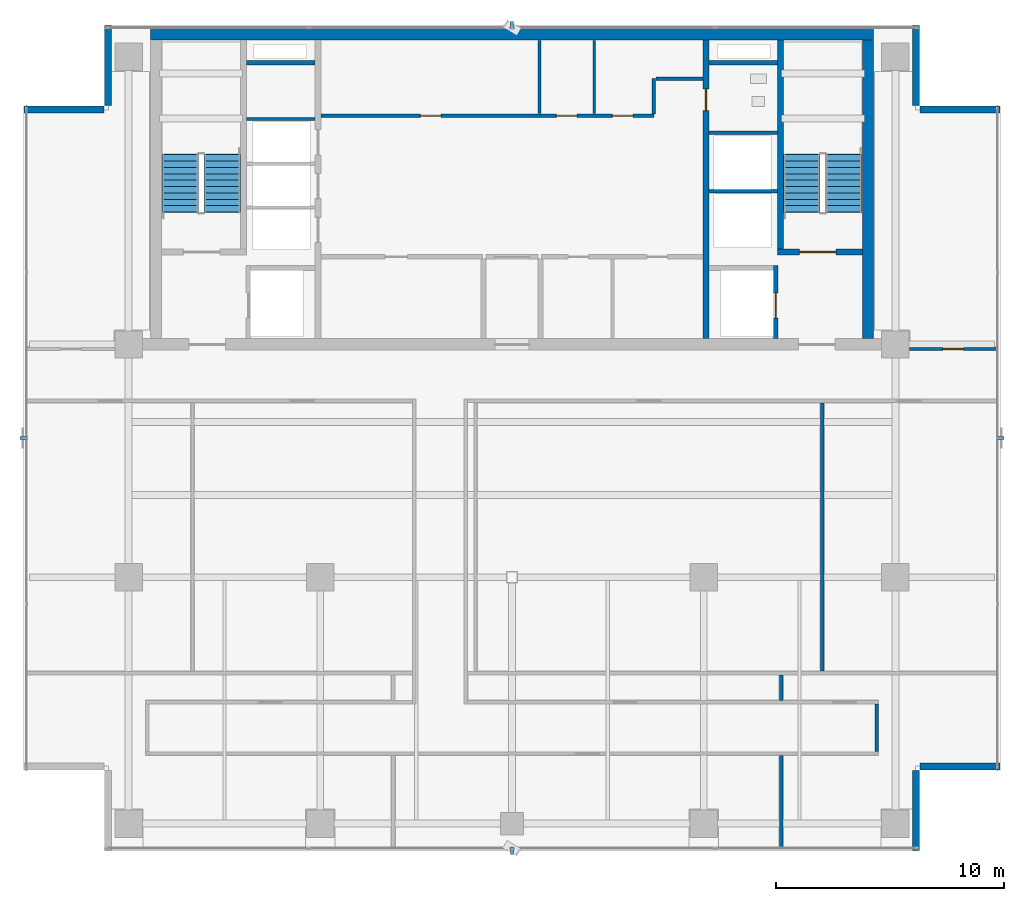
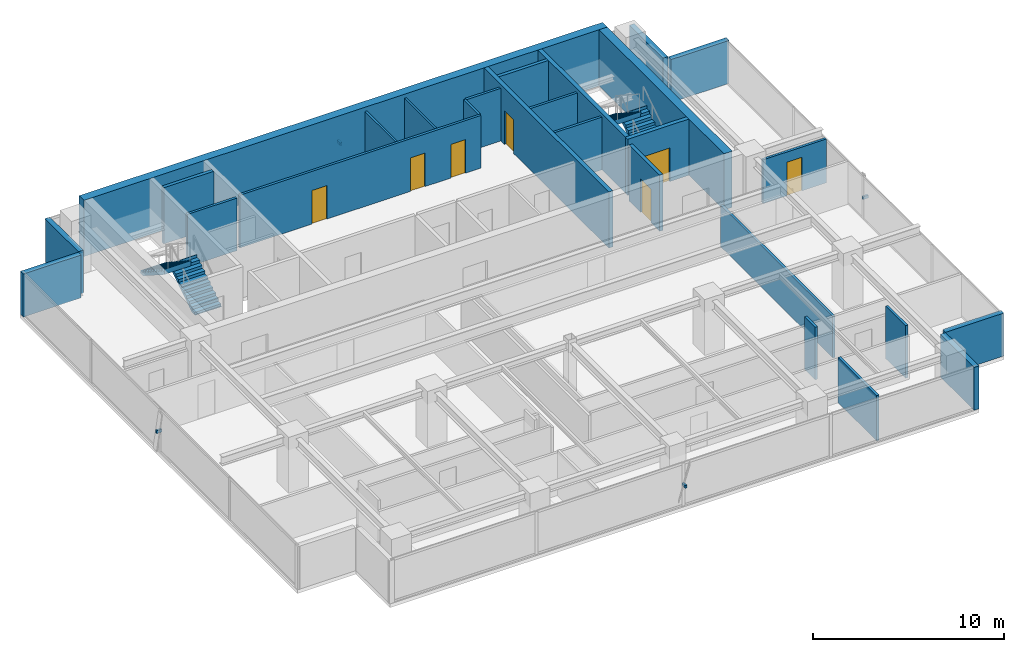
# One storey, part 16 of 20: 27 walls, 7 doors, 4 discrete accessories, 4 stair flights, 7 openings, 2 elements without a shape of their own.
"""IFC4 building model written with IfcOpenShell, lengths in metres."""

from ifc_helpers import new_model, si_unit, direction, frame, frame_2d, origin, origin_2d, place, context, subcontext, project, spatial, polyline, rectangle, outline, extrude, source, transform, mapped, material, layer, layer_set, material_profile, profile_set, type_object, element, fill, aggregate, save


model = new_model("IFC4")

# Units and contexts
model_context = context("Model", 3, precision=1e-05, world=origin(), true_north=direction((0.0, 1.0)))
body_context = subcontext(model_context, "Body", "Model", "MODEL_VIEW")
ifc_project = project(units=[si_unit("LENGTHUNIT", "METRE"), si_unit("AREAUNIT", "SQUARE_METRE"), si_unit("VOLUMEUNIT", "CUBIC_METRE"), si_unit("PLANEANGLEUNIT", "RADIAN"), si_unit("MASSUNIT", "GRAM", prefix="KILO")], contexts=[model_context])

# Site, building, storey
site_placement = place(None, origin())
site = spatial("IfcSite", under=ifc_project, at=site_placement, CompositionType="ELEMENT")
building_placement = place(site_placement, origin())
building = spatial("IfcBuilding", under=site, at=building_placement, Name="Sumidabori Civic Tower", CompositionType="ELEMENT")
storey_placement = place(building_placement, frame((0.0, 0.0, 282.800048828125)))
storey = spatial("IfcBuildingStorey", under=building, at=storey_placement, Name="L74", CompositionType="ELEMENT", Elevation=282.800048828125)

# Walls
ifc_material_1 = material(Name="Concrete C50/60", Category="concrete")
ifc_layer_1 = layer(ifc_material_1, 0.199951171875, Name="Concrete C50/60")
ifc_layer_set_1 = layer_set([ifc_layer_1], Name="Concrete C50/60")
wall_type_1 = type_object("IfcWallType", Name="WL-SHAFT-200", PredefinedType="SHEAR", material=ifc_layer_set_1)
shared_shape_1 = source(origin(), body_context, "Body", "SweptSolid", [
    extrude(rectangle(XDim=3.02001953125, YDim=0.199951171875, at=frame_2d((1.510009765625, 0.0))), origin(), (0.0, 0.0, 1.0), 3.599853515625),
])
for number, where, z_axis, x_axis, name in (
    (1, (-11.64501953125, 22.550048828125, 0.0), (0.0, 0.0, 1.0), (1.0, 0.0, 0.0), "Core Shear Wall L74 RIS1-S"),
    (2, (8.625, 22.550048828125, 0.0), (0.0, 0.0, 1.0), (1.0, 0.0, 0.0), "Core Shear Wall L74 RIS2-S"),
):
    element("IfcWall", number, at=place(storey_placement, frame(where, z_axis=z_axis, x_axis=x_axis)), inside=storey, type_object=wall_type_1, Name=name, PredefinedType="SHEAR", context=body_context, shape_type="MappedRepresentation", body=[
        mapped(shared_shape_1, transform((0.0, 0.0, 0.0), x_axis=(1.0, 0.0, 0.0), y_axis=(0.0, 1.0, 0.0), z_axis=(0.0, 0.0, 1.0), scale=1.0)),
    ])
ifc_layer_2 = layer(ifc_material_1, 0.5, Name="Concrete C50/60")
ifc_layer_set_2 = layer_set([ifc_layer_2], Name="Concrete C50/60")
wall_type_2 = type_object("IfcWallType", Name="WL-CORE-500", PredefinedType="SHEAR", material=ifc_layer_set_2)
shared_shape_2 = source(origin(), body_context, "Body", "SweptSolid", [
    extrude(rectangle(XDim=31.7001953125, YDim=0.5, at=frame_2d((15.85009765625, 0.0))), origin(), (0.0, 0.0, 1.0), 3.599853515625),
])
wall_1_placement = place(storey_placement, frame((-15.85009765625, 23.800048828125, 0.0), z_axis=(0.0, 0.0, 1.0), x_axis=(1.0, 0.0, 0.0)))
element("IfcWall", 3, at=wall_1_placement, inside=storey, type_object=wall_type_2, Name="Core Shear Wall L74 N", PredefinedType="SHEAR", context=body_context, shape_type="MappedRepresentation", body=[
    mapped(shared_shape_2, transform((0.0, 0.0, 0.0), x_axis=(1.0, 0.0, 0.0), y_axis=(0.0, 1.0, 0.0), z_axis=(0.0, 0.0, 1.0), scale=1.0)),
])
shared_shape_3 = source(origin(), body_context, "Body", "SweptSolid", [
    extrude(rectangle(XDim=13.10009765625, YDim=0.5, at=frame_2d((6.550048828125, 0.0))), origin(), (0.0, 0.0, 1.0), 3.599853515625),
])
wall_2_placement = place(storey_placement, frame((15.60009765625, 10.449951171875, 0.0), z_axis=(0.0, 0.0, 1.0), x_axis=(0.0, 1.0, 0.0)))
element("IfcWall", 4, at=wall_2_placement, inside=storey, type_object=wall_type_2, Name="Core Shear Wall L74 E", PredefinedType="SHEAR", context=body_context, shape_type="MappedRepresentation", body=[
    mapped(shared_shape_3, transform((0.0, 0.0, 0.0), x_axis=(1.0, 0.0, 0.0), y_axis=(0.0, 1.0, 0.0), z_axis=(0.0, 0.0, 1.0), scale=1.0)),
])

# Wall, opening, door
ifc_layer_3 = layer(ifc_material_1, 0.25, Name="Concrete C50/60")
ifc_layer_set_3 = layer_set([ifc_layer_3], Name="Concrete C50/60")
wall_type_3 = type_object("IfcWallType", Name="WL-SHAFT-250", PredefinedType="SHEAR", material=ifc_layer_set_3)
shared_shape_4 = source(origin(), body_context, "Body", "SweptSolid", [
    extrude(rectangle(XDim=13.10009765625, YDim=0.25, at=frame_2d((6.550048828125, 0.0))), origin(), (0.0, 0.0, 1.0), 3.599853515625),
])
wall_3_placement = place(storey_placement, frame((8.5, 10.449951171875, 0.0), z_axis=(0.0, 0.0, 1.0), x_axis=(0.0, 1.0, 0.0)))
wall_3 = element("IfcWall", 5, at=wall_3_placement, inside=storey, type_object=wall_type_3, Name="Core Shear Wall L74 WEB-E", PredefinedType="SHEAR", context=body_context, shape_type="MappedRepresentation", body=[
    mapped(shared_shape_4, transform((0.0, 0.0, 0.0), x_axis=(1.0, 0.0, 0.0), y_axis=(0.0, 1.0, 0.0), z_axis=(0.0, 0.0, 1.0), scale=1.0)),
])
opening_1_placement = place(wall_3_placement, frame((10.0, 0.0, 0.0)))
opening_1 = element("IfcOpeningElement", 6, at=opening_1_placement, cuts=wall_3, Name="Opening DR-2", PredefinedType="OPENING", context=body_context, shape_type="SweptSolid", body=[
    extrude(rectangle(XDim=0.949951171875, YDim=2.14990234375, at=frame_2d((0.47509765625, 1.074951171875))), frame((0.0, 0.136962890625, 0.0), z_axis=(0.0, -1.0, 0.0), x_axis=(1.0, 0.0, 0.0)), (0.0, 0.0, 1.0), 0.27392578125),
])
ifc_material_2 = material(Name="Japanese Hinoki Timber", Category="wood")
door_type_1 = type_object("IfcDoorType", Name="DR-INT-950", OperationType="NOTDEFINED", PredefinedType="DOOR", material=ifc_material_2)
shared_shape_5 = source(origin(), body_context, "Body", "SweptSolid", [
    extrude(rectangle(XDim=0.949951171875, YDim=2.14990234375, at=frame_2d((0.47509765625, 1.074951171875))), frame((0.0, 0.02490234375, 0.0), z_axis=(0.0, -1.0, 0.0), x_axis=(1.0, 0.0, 0.0)), (0.0, 0.0, 1.0), 0.050048828125),
])
door_1_placement = place(opening_1_placement, origin())
door_1 = element("IfcDoor", 7, at=door_1_placement, inside=storey, type_object=door_type_1, Name="Door DR:L74:WC-ACC", OperationType="SINGLE_SWING_RIGHT", OverallHeight=2.14990234375, OverallWidth=0.949951171875, PredefinedType="DOOR", context=body_context, shape_type="MappedRepresentation", body=[
    mapped(shared_shape_5, transform((0.0, 0.0, 0.0), x_axis=(1.0, 0.0, 0.0), y_axis=(0.0, 1.0, 0.0), z_axis=(0.0, 0.0, 1.0), scale=1.0)),
])
fill(opening_1, door_1)

shared_shape_6 = source(origin(), body_context, "Body", "SweptSolid", [
    extrude(rectangle(XDim=3.705078125, YDim=0.25, at=frame_2d((1.8525390625, 0.0))), origin(), (0.0, 0.0, 1.0), 3.599853515625),
])
wall_4_placement = place(storey_placement, frame((11.64501953125, 14.25, 0.0), z_axis=(0.0, 0.0, 1.0), x_axis=(1.0, 0.0, 0.0)))
wall_4 = element("IfcWall", 8, at=wall_4_placement, inside=storey, type_object=wall_type_3, Name="Core Shear Wall L74 ST2-S", PredefinedType="SHEAR", context=body_context, shape_type="MappedRepresentation", body=[
    mapped(shared_shape_6, transform((0.0, 0.0, 0.0), x_axis=(1.0, 0.0, 0.0), y_axis=(0.0, 1.0, 0.0), z_axis=(0.0, 0.0, 1.0), scale=1.0)),
])
opening_2_placement = place(wall_4_placement, frame((0.949951171875, 0.0, 0.0)))
opening_2 = element("IfcOpeningElement", 9, at=opening_2_placement, cuts=wall_4, Name="Opening DR-FD4", PredefinedType="OPENING", context=body_context, shape_type="SweptSolid", body=[
    extrude(rectangle(XDim=1.60009765625, YDim=2.14990234375, at=frame_2d((0.800048828125, 1.074951171875))), frame((0.0, 0.136962890625, 0.0), z_axis=(0.0, -1.0, 0.0), x_axis=(1.0, 0.0, 0.0)), (0.0, 0.0, 1.0), 0.27392578125),
])
ifc_material_3 = material(Name="Steel SN490", Category="steel")
door_type_2 = type_object("IfcDoorType", Name="DR-FD4", OperationType="DOUBLE_DOOR_SINGLE_SWING", PredefinedType="DOOR", material=ifc_material_3)
shared_shape_7 = source(origin(), body_context, "Body", "SweptSolid", [
    extrude(rectangle(XDim=1.60009765625, YDim=2.14990234375, at=frame_2d((0.800048828125, 1.074951171875))), frame((0.0, 0.02490234375, 0.0), z_axis=(0.0, -1.0, 0.0), x_axis=(1.0, 0.0, 0.0)), (0.0, 0.0, 1.0), 0.050048828125),
])
door_2_placement = place(opening_2_placement, origin())
door_2 = element("IfcDoor", 10, at=door_2_placement, inside=storey, type_object=door_type_2, Name="Door DR:L74:ST2", OperationType="DOUBLE_DOOR_SINGLE_SWING", OverallHeight=2.14990234375, OverallWidth=1.60009765625, PredefinedType="DOOR", context=body_context, shape_type="MappedRepresentation", body=[
    mapped(shared_shape_7, transform((0.0, 0.0, 0.0), x_axis=(1.0, 0.0, 0.0), y_axis=(0.0, 1.0, 0.0), z_axis=(0.0, 0.0, 1.0), scale=1.0)),
])
fill(opening_2, door_2)

# Wall
shared_shape_8 = source(origin(), body_context, "Body", "SweptSolid", [
    extrude(rectangle(XDim=9.175048828125, YDim=0.25, at=frame_2d((4.58740234375, 0.0))), origin(), (0.0, 0.0, 1.0), 3.599853515625),
])
wall_5_placement = place(storey_placement, frame((11.77001953125, 14.375, 0.0), z_axis=(0.0, 0.0, 1.0), x_axis=(0.0, 1.0, 0.0)))
element("IfcWall", 11, at=wall_5_placement, inside=storey, type_object=wall_type_3, Name="Core Shear Wall L74 ST2-W", PredefinedType="SHEAR", context=body_context, shape_type="MappedRepresentation", body=[
    mapped(shared_shape_8, transform((0.0, 0.0, 0.0), x_axis=(1.0, 0.0, 0.0), y_axis=(0.0, 1.0, 0.0), z_axis=(0.0, 0.0, 1.0), scale=1.0)),
])

# Wall, opening, door
shared_shape_9 = source(origin(), body_context, "Body", "SweptSolid", [
    extrude(rectangle(XDim=3.199951171875, YDim=0.199951171875, at=frame_2d((1.60009765625, 0.0))), origin(), (0.0, 0.0, 1.0), 3.599853515625),
])
wall_6_placement = place(storey_placement, frame((11.550048828125, 10.449951171875, 0.0), z_axis=(0.0, 0.0, 1.0), x_axis=(0.0, 1.0, 0.0)))
wall_6 = element("IfcWall", 12, at=wall_6_placement, inside=storey, type_object=wall_type_1, Name="Core Shear Wall L74 EL2-E", PredefinedType="SHEAR", context=body_context, shape_type="MappedRepresentation", body=[
    mapped(shared_shape_9, transform((0.0, 0.0, 0.0), x_axis=(1.0, 0.0, 0.0), y_axis=(0.0, 1.0, 0.0), z_axis=(0.0, 0.0, 1.0), scale=1.0)),
])
opening_3_placement = place(wall_6_placement, frame((0.89990234375, 0.0, 0.0)))
opening_3 = element("IfcOpeningElement", 13, at=opening_3_placement, cuts=wall_6, Name="Opening LD-2", PredefinedType="OPENING", context=body_context, shape_type="SweptSolid", body=[
    extrude(rectangle(XDim=1.10009765625, YDim=2.14990234375, at=frame_2d((0.550048828125, 1.074951171875))), frame((0.0, 0.11181640625, 0.0), z_axis=(0.0, -1.0, 0.0), x_axis=(1.0, 0.0, 0.0)), (0.0, 0.0, 1.0), 0.223876953125),
])
ifc_material_4 = material(Name="Stainless Steel Hairline Finish", Category="steel")
door_type_3 = type_object("IfcDoorType", Name="DR-LD2", OperationType="DOUBLE_DOOR_SLIDING", PredefinedType="DOOR", material=ifc_material_4)
shared_shape_10 = source(origin(), body_context, "Body", "SweptSolid", [
    extrude(rectangle(XDim=1.10009765625, YDim=2.14990234375, at=frame_2d((0.550048828125, 1.074951171875))), frame((0.0, 0.02490234375, 0.0), z_axis=(0.0, -1.0, 0.0), x_axis=(1.0, 0.0, 0.0)), (0.0, 0.0, 1.0), 0.050048828125),
])
door_3_placement = place(opening_3_placement, origin())
door_3 = element("IfcDoor", 14, at=door_3_placement, inside=storey, type_object=door_type_3, Name="Door DR:L74:LD-EL2", OperationType="DOUBLE_DOOR_SLIDING", OverallHeight=2.14990234375, OverallWidth=1.10009765625, PredefinedType="DOOR", context=body_context, shape_type="MappedRepresentation", body=[
    mapped(shared_shape_10, transform((0.0, 0.0, 0.0), x_axis=(1.0, 0.0, 0.0), y_axis=(0.0, 1.0, 0.0), z_axis=(0.0, 0.0, 1.0), scale=1.0)),
])
fill(opening_3, door_3)

# Walls
ifc_material_5 = material(Name="Precast concrete C40/50", Category="concrete")
ifc_layer_4 = layer(ifc_material_5, 0.300048828125, Name="Precast concrete C40/50")
ifc_layer_set_4 = layer_set([ifc_layer_4], Name="Precast concrete C40/50")
wall_type_4 = type_object("IfcWallType", Name="WL-EXT-POD300", PredefinedType="STANDARD", material=ifc_layer_set_4)
shared_shape_11 = source(origin(), body_context, "Body", "SweptSolid", [
    extrude(rectangle(XDim=3.510009765625, YDim=0.300048828125, at=frame_2d((1.7548828125, 0.0))), origin(), (0.0, 0.0, 1.0), 2.75),
])
for number, where, z_axis, x_axis, name in (
    (15, (17.699951171875, -11.97998046875, 0.0), (0.0, 0.0, 1.0), (0.0, 1.0, 0.0), "Notched Corner Spandrel Band L74-02"),
    (16, (17.699951171875, 20.669921875, 0.0), (0.0, 0.0, 1.0), (0.0, 1.0, 0.0), "Notched Corner Spandrel Band L74-06"),
    (17, (-17.699951171875, 24.179931640625, 0.0), (0.0, 0.0, 1.0), (0.0, -1.0, 0.0), "Notched Corner Spandrel Band L74-08"),
):
    element("IfcWall", number, at=place(storey_placement, frame(where, z_axis=z_axis, x_axis=x_axis)), inside=storey, type_object=wall_type_4, Name=name, PredefinedType="STANDARD", context=body_context, shape_type="MappedRepresentation", body=[
        mapped(shared_shape_11, transform((0.0, 0.0, 0.0), x_axis=(1.0, 0.0, 0.0), y_axis=(0.0, 1.0, 0.0), z_axis=(0.0, 0.0, 1.0), scale=1.0)),
    ])
shared_shape_12 = source(origin(), body_context, "Body", "SweptSolid", [
    extrude(rectangle(XDim=3.509765625, YDim=0.300048828125, at=frame_2d((1.7548828125, 0.0))), origin(), (0.0, 0.0, 1.0), 2.75),
])
for number, where, z_axis, x_axis, name in (
    (18, (17.8701171875, -8.300048828125, 0.0), (0.0, 0.0, 1.0), (1.0, 0.0, 0.0), "Notched Corner Spandrel Band L74-03"),
    (19, (21.3798828125, 20.5, 0.0), (0.0, 0.0, 1.0), (-1.0, 0.0, 0.0), "Notched Corner Spandrel Band L74-05"),
    (20, (-17.8701171875, 20.5, 0.0), (0.0, 0.0, 1.0), (-1.0, 0.0, 0.0), "Notched Corner Spandrel Band L74-09"),
):
    element("IfcWall", number, at=place(storey_placement, frame(where, z_axis=z_axis, x_axis=x_axis)), inside=storey, type_object=wall_type_4, Name=name, PredefinedType="STANDARD", context=body_context, shape_type="MappedRepresentation", body=[
        mapped(shared_shape_12, transform((0.0, 0.0, 0.0), x_axis=(1.0, 0.0, 0.0), y_axis=(0.0, 1.0, 0.0), z_axis=(0.0, 0.0, 1.0), scale=1.0)),
    ])
ifc_material_6 = material(Name="Gypsum Plasterboard Acoustic Partition")
ifc_layer_5 = layer(ifc_material_6, 0.14990234375, Name="Gypsum Plasterboard Acoustic Partition")
ifc_layer_set_5 = layer_set([ifc_layer_5], Name="Gypsum Plasterboard Acoustic Partition")
wall_type_5 = type_object("IfcWallType", Name="WL-PART-150", PredefinedType="PARTITIONING", material=ifc_layer_set_5)
shared_shape_13 = source(origin(), body_context, "Body", "SweptSolid", [
    extrude(rectangle(XDim=3.010009765625, YDim=0.14990234375, at=frame_2d((1.5048828125, 0.0))), origin(), (0.0, 0.0, 1.0), 3.369873046875),
])
for number, where, z_axis, x_axis, name in (
    (21, (-11.639892578125, 20.080078125, 0.0), (0.0, 0.0, 1.0), (1.0, 0.0, 0.0), "Interior Partition WL:L74:DIV-PLH3"),
    (22, (8.6298828125, 16.919921875, 0.0), (0.0, 0.0, 1.0), (1.0, 0.0, 0.0), "Interior Partition WL:L74:DIV-OBS1"),
    (23, (8.6298828125, 19.469970703125, 0.0), (0.0, 0.0, 1.0), (1.0, 0.0, 0.0), "Interior Partition WL:L74:DIV-OBS2"),
):
    element("IfcWall", number, at=place(storey_placement, frame(where, z_axis=z_axis, x_axis=x_axis)), inside=storey, type_object=wall_type_5, Name=name, PredefinedType="PARTITIONING", context=body_context, shape_type="MappedRepresentation", body=[
        mapped(shared_shape_13, transform((0.0, 0.0, 0.0), x_axis=(1.0, 0.0, 0.0), y_axis=(0.0, 1.0, 0.0), z_axis=(0.0, 0.0, 1.0), scale=1.0)),
    ])

# Wall, openings, doors
shared_shape_14 = source(origin(), body_context, "Body", "SweptSolid", [
    extrude(rectangle(XDim=14.590087890625, YDim=0.14990234375, at=frame_2d((7.294921875, 0.0))), origin(), (0.0, 0.0, 1.0), 3.369873046875),
])
wall_7_placement = place(storey_placement, frame((-8.3701171875, 20.219970703125, 0.0), z_axis=(0.0, 0.0, 1.0), x_axis=(1.0, 0.0, 0.0)))
wall_7 = element("IfcWall", 24, at=wall_7_placement, inside=storey, type_object=wall_type_5, Name="Interior Partition WL:L74:CBAND-M", PredefinedType="PARTITIONING", context=body_context, shape_type="MappedRepresentation", body=[
    mapped(shared_shape_14, transform((0.0, 0.0, 0.0), x_axis=(1.0, 0.0, 0.0), y_axis=(0.0, 1.0, 0.0), z_axis=(0.0, 0.0, 1.0), scale=1.0)),
])
opening_4_placement = place(wall_7_placement, frame((4.360107421875, 0.0, 0.0)))
opening_4 = element("IfcOpeningElement", 25, at=opening_4_placement, cuts=wall_7, Name="Opening DR-1", PredefinedType="OPENING", context=body_context, shape_type="SweptSolid", body=[
    extrude(rectangle(XDim=0.89990234375, YDim=2.14990234375, at=frame_2d((0.449951171875, 1.074951171875))), frame((0.0, 0.0869140625, 0.0), z_axis=(0.0, -1.0, 0.0), x_axis=(1.0, 0.0, 0.0)), (0.0, 0.0, 1.0), 0.173828125),
])
opening_5_placement = place(wall_7_placement, frame((10.320068359375, 0.0, 0.0)))
opening_5 = element("IfcOpeningElement", 26, at=opening_5_placement, cuts=wall_7, Name="Opening DR-1", PredefinedType="OPENING", context=body_context, shape_type="SweptSolid", body=[
    extrude(rectangle(XDim=0.89990234375, YDim=2.14990234375, at=frame_2d((0.449951171875, 1.074951171875))), frame((0.0, 0.0869140625, 0.0), z_axis=(0.0, -1.0, 0.0), x_axis=(1.0, 0.0, 0.0)), (0.0, 0.0, 1.0), 0.173828125),
])
opening_6_placement = place(wall_7_placement, frame((12.77001953125, 0.0, 0.0)))
opening_6 = element("IfcOpeningElement", 27, at=opening_6_placement, cuts=wall_7, Name="Opening DR-1", PredefinedType="OPENING", context=body_context, shape_type="SweptSolid", body=[
    extrude(rectangle(XDim=0.89990234375, YDim=2.14990234375, at=frame_2d((0.449951171875, 1.074951171875))), frame((0.0, 0.0869140625, 0.0), z_axis=(0.0, -1.0, 0.0), x_axis=(1.0, 0.0, 0.0)), (0.0, 0.0, 1.0), 0.173828125),
])
door_type_4 = type_object("IfcDoorType", Name="DR-INT-900", OperationType="NOTDEFINED", PredefinedType="DOOR", material=ifc_material_2)
shared_shape_15 = source(origin(), body_context, "Body", "SweptSolid", [
    extrude(rectangle(XDim=0.89990234375, YDim=2.14990234375, at=frame_2d((0.449951171875, 1.074951171875))), frame((0.0, 0.02490234375, 0.0), z_axis=(0.0, -1.0, 0.0), x_axis=(1.0, 0.0, 0.0)), (0.0, 0.0, 1.0), 0.050048828125),
])
door_4_placement = place(opening_4_placement, origin())
door_4 = element("IfcDoor", 28, at=door_4_placement, inside=storey, type_object=door_type_4, Name="Door DR:L74:CB-1", OperationType="SINGLE_SWING_LEFT", OverallHeight=2.14990234375, OverallWidth=0.89990234375, PredefinedType="DOOR", context=body_context, shape_type="MappedRepresentation", body=[
    mapped(shared_shape_15, transform((0.0, 0.0, 0.0), x_axis=(1.0, 0.0, 0.0), y_axis=(0.0, 1.0, 0.0), z_axis=(0.0, 0.0, 1.0), scale=1.0)),
])
fill(opening_4, door_4)
door_5_placement = place(opening_5_placement, origin())
door_5 = element("IfcDoor", 29, at=door_5_placement, inside=storey, type_object=door_type_4, Name="Door DR:L74:CB-2", OperationType="SINGLE_SWING_RIGHT", OverallHeight=2.14990234375, OverallWidth=0.89990234375, PredefinedType="DOOR", context=body_context, shape_type="MappedRepresentation", body=[
    mapped(shared_shape_15, transform((0.0, 0.0, 0.0), x_axis=(1.0, 0.0, 0.0), y_axis=(0.0, 1.0, 0.0), z_axis=(0.0, 0.0, 1.0), scale=1.0)),
])
fill(opening_5, door_5)
door_6_placement = place(opening_6_placement, origin())
door_6 = element("IfcDoor", 30, at=door_6_placement, inside=storey, type_object=door_type_4, Name="Door DR:L74:CB-3", OperationType="SINGLE_SWING_LEFT", OverallHeight=2.14990234375, OverallWidth=0.89990234375, PredefinedType="DOOR", context=body_context, shape_type="MappedRepresentation", body=[
    mapped(shared_shape_15, transform((0.0, 0.0, 0.0), x_axis=(1.0, 0.0, 0.0), y_axis=(0.0, 1.0, 0.0), z_axis=(0.0, 0.0, 1.0), scale=1.0)),
])
fill(opening_6, door_6)

# Walls
shared_shape_16 = source(origin(), body_context, "Body", "SweptSolid", [
    extrude(rectangle(XDim=1.550048828125, YDim=0.14990234375, at=frame_2d((0.77490234375, 0.0))), origin(), (0.0, 0.0, 1.0), 3.369873046875),
])
wall_8_placement = place(storey_placement, frame((6.219970703125, 20.300048828125, 0.0), z_axis=(0.0, 0.0, 1.0), x_axis=(0.0, 1.0, 0.0)))
element("IfcWall", 31, at=wall_8_placement, inside=storey, type_object=wall_type_5, Name="Interior Partition WL:L74:CBAND-ME1", PredefinedType="PARTITIONING", context=body_context, shape_type="MappedRepresentation", body=[
    mapped(shared_shape_16, transform((0.0, 0.0, 0.0), x_axis=(1.0, 0.0, 0.0), y_axis=(0.0, 1.0, 0.0), z_axis=(0.0, 0.0, 1.0), scale=1.0)),
])
shared_shape_17 = source(origin(), body_context, "Body", "SweptSolid", [
    extrude(rectangle(XDim=2.070068359375, YDim=0.14990234375, at=frame_2d((1.03515625, 0.0))), origin(), (0.0, 0.0, 1.0), 3.369873046875),
])
wall_9_placement = place(storey_placement, frame((6.300048828125, 21.85009765625, 0.0), z_axis=(0.0, 0.0, 1.0), x_axis=(1.0, 0.0, 0.0)))
element("IfcWall", 32, at=wall_9_placement, inside=storey, type_object=wall_type_5, Name="Interior Partition WL:L74:CBAND-ME2", PredefinedType="PARTITIONING", context=body_context, shape_type="MappedRepresentation", body=[
    mapped(shared_shape_17, transform((0.0, 0.0, 0.0), x_axis=(1.0, 0.0, 0.0), y_axis=(0.0, 1.0, 0.0), z_axis=(0.0, 0.0, 1.0), scale=1.0)),
])
ifc_layer_6 = layer(ifc_material_6, 0.1201171875, Name="Gypsum Plasterboard Acoustic Partition")
ifc_layer_set_6 = layer_set([ifc_layer_6], Name="Gypsum Plasterboard Acoustic Partition")
wall_type_6 = type_object("IfcWallType", Name="WL-PART-120", PredefinedType="PARTITIONING", material=ifc_layer_set_6)
shared_shape_18 = source(origin(), body_context, "Body", "SweptSolid", [
    extrude(rectangle(XDim=3.18994140625, YDim=0.1201171875, at=frame_2d((1.594970703125, 0.0))), origin(), (0.0, 0.0, 1.0), 3.369873046875),
])
for number, where, z_axis, x_axis, name in (
    (33, (1.199951171875, 20.320068359375, 0.0), (0.0, 0.0, 1.0), (0.0, 1.0, 0.0), "Interior Partition WL:L74:LV8-S1"),
    (34, (3.60009765625, 20.320068359375, 0.0), (0.0, 0.0, 1.0), (0.0, 1.0, 0.0), "Interior Partition WL:L74:LV8-S2"),
):
    element("IfcWall", number, at=place(storey_placement, frame(where, z_axis=z_axis, x_axis=x_axis)), inside=storey, type_object=wall_type_6, Name=name, PredefinedType="PARTITIONING", context=body_context, shape_type="MappedRepresentation", body=[
        mapped(shared_shape_18, transform((0.0, 0.0, 0.0), x_axis=(1.0, 0.0, 0.0), y_axis=(0.0, 1.0, 0.0), z_axis=(0.0, 0.0, 1.0), scale=1.0)),
    ])

# Wall, opening, door
shared_shape_19 = source(origin(), body_context, "Body", "SweptSolid", [
    extrude(rectangle(XDim=3.840087890625, YDim=0.14990234375, at=frame_2d((1.919921875, 0.0))), origin(), (0.0, 0.0, 1.0), 2.804931640625),
])
wall_10_placement = place(storey_placement, frame((17.409912109375, 10.0, 0.0), z_axis=(0.0, 0.0, 1.0), x_axis=(1.0, 0.0, 0.0)))
wall_10 = element("IfcWall", 35, at=wall_10_placement, inside=storey, type_object=wall_type_5, Name="Interior Partition WL:L74:FLK-NE", PredefinedType="PARTITIONING", context=body_context, shape_type="MappedRepresentation", body=[
    mapped(shared_shape_19, transform((0.0, 0.0, 0.0), x_axis=(1.0, 0.0, 0.0), y_axis=(0.0, 1.0, 0.0), z_axis=(0.0, 0.0, 1.0), scale=1.0)),
])
opening_7_placement = place(wall_10_placement, frame((1.469970703125, 0.0, 0.0)))
opening_7 = element("IfcOpeningElement", 36, at=opening_7_placement, cuts=wall_10, Name="Opening DR-1", PredefinedType="OPENING", context=body_context, shape_type="SweptSolid", body=[
    extrude(rectangle(XDim=0.89990234375, YDim=2.14990234375, at=frame_2d((0.449951171875, 1.074951171875))), frame((0.0, 0.0869140625, 0.0), z_axis=(0.0, -1.0, 0.0), x_axis=(1.0, 0.0, 0.0)), (0.0, 0.0, 1.0), 0.173828125),
])
door_7_placement = place(opening_7_placement, origin())
door_7 = element("IfcDoor", 37, at=door_7_placement, inside=storey, type_object=door_type_4, Name="Door DR:L74:FLK-NE", OperationType="SINGLE_SWING_RIGHT", OverallHeight=2.14990234375, OverallWidth=0.89990234375, PredefinedType="DOOR", context=body_context, shape_type="MappedRepresentation", body=[
    mapped(shared_shape_15, transform((0.0, 0.0, 0.0), x_axis=(1.0, 0.0, 0.0), y_axis=(0.0, 1.0, 0.0), z_axis=(0.0, 0.0, 1.0), scale=1.0)),
])
fill(opening_7, door_7)

# Walls
shared_shape_20 = source(origin(), body_context, "Body", "SweptSolid", [
    extrude(rectangle(XDim=11.76513671875, YDim=0.14990234375, at=frame_2d((5.882568359375, 0.0))), origin(), (0.0, 0.0, 1.0), 2.655029296875),
])
wall_11_placement = place(storey_placement, frame((13.60009765625, -4.1201171875, 0.0), z_axis=(0.0, 0.0, 1.0), x_axis=(0.0, 1.0, 0.0)))
element("IfcWall", 38, at=wall_11_placement, inside=storey, type_object=wall_type_5, Name="Interior Partition WL:L74:VX-N3", PredefinedType="PARTITIONING", context=body_context, shape_type="MappedRepresentation", body=[
    mapped(shared_shape_20, transform((0.0, 0.0, 0.0), x_axis=(1.0, 0.0, 0.0), y_axis=(0.0, 1.0, 0.0), z_axis=(0.0, 0.0, 1.0), scale=1.0)),
])
shared_shape_21 = source(origin(), body_context, "Body", "SweptSolid", [
    extrude(rectangle(XDim=4.045166015625, YDim=0.14990234375, at=frame_2d((2.0224609375, 0.0))), origin(), (0.0, 0.0, 1.0), 2.905029296875),
])
wall_12_placement = place(storey_placement, frame((11.800048828125, -11.85009765625, 0.0), z_axis=(0.0, 0.0, 1.0), x_axis=(0.0, 1.0, 0.0)))
element("IfcWall", 39, at=wall_12_placement, inside=storey, type_object=wall_type_5, Name="Interior Partition WL:L74:VX-S2-1", PredefinedType="PARTITIONING", context=body_context, shape_type="MappedRepresentation", body=[
    mapped(shared_shape_21, transform((0.0, 0.0, 0.0), x_axis=(1.0, 0.0, 0.0), y_axis=(0.0, 1.0, 0.0), z_axis=(0.0, 0.0, 1.0), scale=1.0)),
])
shared_shape_22 = source(origin(), body_context, "Body", "SweptSolid", [
    extrude(rectangle(XDim=2.090087890625, YDim=0.14990234375, at=frame_2d((1.044921875, 0.0))), origin(), (0.0, 0.0, 1.0), 3.369873046875),
])
wall_13_placement = place(storey_placement, frame((15.97509765625, -7.64501953125, 0.0), z_axis=(0.0, 0.0, 1.0), x_axis=(0.0, 1.0, 0.0)))
element("IfcWall", 40, at=wall_13_placement, inside=storey, type_object=wall_type_5, Name="Interior Partition WL:L74:CORR-VSE", PredefinedType="PARTITIONING", context=body_context, shape_type="MappedRepresentation", body=[
    mapped(shared_shape_22, transform((0.0, 0.0, 0.0), x_axis=(1.0, 0.0, 0.0), y_axis=(0.0, 1.0, 0.0), z_axis=(0.0, 0.0, 1.0), scale=1.0)),
])
shared_shape_23 = source(origin(), body_context, "Body", "SweptSolid", [
    extrude(rectangle(XDim=1.114990234375, YDim=0.14990234375, at=frame_2d((0.5576171875, 0.0))), origin(), (0.0, 0.0, 1.0), 3.369873046875),
])
wall_14_placement = place(storey_placement, frame((11.800048828125, -5.39501953125, 0.0), z_axis=(0.0, 0.0, 1.0), x_axis=(0.0, 1.0, 0.0)))
element("IfcWall", 41, at=wall_14_placement, inside=storey, type_object=wall_type_5, Name="Interior Partition WL:L74:VX-S2-2", PredefinedType="PARTITIONING", context=body_context, shape_type="MappedRepresentation", body=[
    mapped(shared_shape_23, transform((0.0, 0.0, 0.0), x_axis=(1.0, 0.0, 0.0), y_axis=(0.0, 1.0, 0.0), z_axis=(0.0, 0.0, 1.0), scale=1.0)),
])

# Stair, stair flights
ifc_material_7 = material(Name="Concrete C40/50", Category="concrete")
stair_type = type_object("IfcStairType", Name="ST-CORE-1600", PredefinedType="HALF_TURN_STAIR", material=ifc_material_7)
stair_1_placement = place(storey_placement, origin())
stair_1 = element("IfcStair", 42, at=stair_1_placement, inside=storey, type_object=stair_type, Name="L74 ST-1", PredefinedType="HALF_TURN_STAIR")
stair_flight_type = type_object("IfcStairFlightType", Name="SF-CORE-1600", PredefinedType="STRAIGHT", material=ifc_material_7)
shared_shape_24 = source(origin(), body_context, "Body", "SweptSolid", [
    extrude(outline(polyline([(-0.02490234375, 0.0), (-0.02490234375, 0.0400390625), (0.0, 0.0400390625), (0.0, 0.179931640625), (0.280029296875, 0.179931640625), (0.280029296875, 0.360107421875), (0.56005859375, 0.360107421875), (0.56005859375, 0.5400390625), (0.840087890625, 0.5400390625), (0.840087890625, 0.719970703125), (1.1201171875, 0.719970703125), (1.1201171875, 0.89990234375), (1.39990234375, 0.89990234375), (1.39990234375, 1.080078125), (1.679931640625, 1.080078125), (1.679931640625, 1.260009765625), (1.9599609375, 1.260009765625), (1.9599609375, 1.43994140625), (2.239990234375, 1.43994140625), (2.239990234375, 1.6201171875), (2.52001953125, 1.6201171875), (2.52001953125, 1.800048828125), (2.544921875, 1.800048828125), (2.544921875, 1.650146484375), (2.52001953125, 1.44189453125), (0.277099609375, 0.0), (-0.02490234375, 0.0)])), frame((0.0, 0.800048828125, 0.0), z_axis=(0.0, -1.0, 0.0), x_axis=(1.0, 0.0, 0.0)), (0.0, 0.0, 1.0), 1.60009765625),
])
stair_flight_1_placement = place(storey_placement, frame((-12.699951171875, 16.0, 0.0), z_axis=(0.0, 0.0, 1.0), x_axis=(0.0, 1.0, 0.0)))
stair_flight_1 = element("IfcStairFlight", 43, at=stair_flight_1_placement, type_object=stair_flight_type, Name="ST-1 flight 1", NumberOfRisers=10, NumberOfTreads=9, PredefinedType="STRAIGHT", RiserHeight=0.18, TreadLength=0.28, context=body_context, shape_type="MappedRepresentation", body=[
    mapped(shared_shape_24, transform((0.0, 0.0, 0.0), x_axis=(1.0, 0.0, 0.0), y_axis=(0.0, 1.0, 0.0), z_axis=(0.0, 0.0, 1.0), scale=1.0)),
])
stair_flight_2_placement = place(storey_placement, frame((-14.5400390625, 18.52001953125, 1.800048828125), z_axis=(0.0, 0.0, 1.0), x_axis=(0.0, -1.0, 0.0)))
stair_flight_2 = element("IfcStairFlight", 44, at=stair_flight_2_placement, type_object=stair_flight_type, Name="ST-1 flight 2", NumberOfRisers=10, NumberOfTreads=9, PredefinedType="STRAIGHT", RiserHeight=0.18, TreadLength=0.28, context=body_context, shape_type="MappedRepresentation", body=[
    mapped(shared_shape_24, transform((0.0, 0.0, 0.0), x_axis=(1.0, 0.0, 0.0), y_axis=(0.0, 1.0, 0.0), z_axis=(0.0, 0.0, 1.0), scale=1.0)),
])
aggregate(stair_1, [stair_flight_1, stair_flight_2])

stair_2_placement = place(storey_placement, origin())
stair_2 = element("IfcStair", 45, at=stair_2_placement, inside=storey, type_object=stair_type, Name="L74 ST-2", PredefinedType="HALF_TURN_STAIR")
stair_flight_3_placement = place(storey_placement, frame((14.5400390625, 16.0, 0.0), z_axis=(0.0, 0.0, 1.0), x_axis=(0.0, 1.0, 0.0)))
stair_flight_3 = element("IfcStairFlight", 46, at=stair_flight_3_placement, type_object=stair_flight_type, Name="ST-2 flight 1", NumberOfRisers=10, NumberOfTreads=9, PredefinedType="STRAIGHT", RiserHeight=0.18, TreadLength=0.28, context=body_context, shape_type="MappedRepresentation", body=[
    mapped(shared_shape_24, transform((0.0, 0.0, 0.0), x_axis=(1.0, 0.0, 0.0), y_axis=(0.0, 1.0, 0.0), z_axis=(0.0, 0.0, 1.0), scale=1.0)),
])
stair_flight_4_placement = place(storey_placement, frame((12.699951171875, 18.52001953125, 1.800048828125), z_axis=(0.0, 0.0, 1.0), x_axis=(0.0, -1.0, 0.0)))
stair_flight_4 = element("IfcStairFlight", 47, at=stair_flight_4_placement, type_object=stair_flight_type, Name="ST-2 flight 2", NumberOfRisers=10, NumberOfTreads=9, PredefinedType="STRAIGHT", RiserHeight=0.18, TreadLength=0.28, context=body_context, shape_type="MappedRepresentation", body=[
    mapped(shared_shape_24, transform((0.0, 0.0, 0.0), x_axis=(1.0, 0.0, 0.0), y_axis=(0.0, 1.0, 0.0), z_axis=(0.0, 0.0, 1.0), scale=1.0)),
])
aggregate(stair_2, [stair_flight_3, stair_flight_4])

# Discrete accessories
ifc_material_profile = material_profile(ifc_material_4, rectangle(XDim=0.1201171875, YDim=0.179931640625, at=origin_2d()), Name="STEEL BRACKET 180x120")
ifc_profile_set = profile_set([ifc_material_profile], Name="Stainless Steel Hairline Finish")
discrete_accessory_type = type_object("IfcDiscreteAccessoryType", Name="AC-BRK-180", PredefinedType="BRACKET", material=ifc_profile_set)
shared_shape_25 = source(origin(), body_context, "Body", "SweptSolid", [
    extrude(rectangle(XDim=0.1201171875, YDim=0.179931640625, at=origin_2d()), origin(), (0.0, 0.0, 1.0), 0.329833984375),
])
discrete_accessory_placement = place(storey_placement, frame((0.0, -11.830078125, 1.364990234375), z_axis=(0.0, -1.0, 0.0), x_axis=(1.0, 0.0, 0.0)))
element("IfcDiscreteAccessory", 48, at=discrete_accessory_placement, inside=storey, type_object=discrete_accessory_type, Name="Bronze Fin Fixing Bracket L74-02", PredefinedType="BRACKET", context=body_context, shape_type="MappedRepresentation", body=[
    mapped(shared_shape_25, transform((0.0, 0.0, 0.0), x_axis=(1.0, 0.0, 0.0), y_axis=(0.0, 1.0, 0.0), z_axis=(0.0, 0.0, 1.0), scale=1.0)),
])
shared_shape_26 = source(origin(), body_context, "Body", "SweptSolid", [
    extrude(rectangle(XDim=0.1201171875, YDim=0.179931640625, at=origin_2d()), origin(), (0.0, 0.0, 1.0), 0.330078125),
])
for number, where, z_axis, x_axis, name in (
    (49, (21.22998046875, 6.10009765625, 1.364990234375), (1.0, 0.0, 0.0), (0.0, 1.0, 0.0), "Bronze Fin Fixing Bracket L74-02"),
    (50, (0.0, 24.030029296875, 1.364990234375), (0.0, 1.0, 0.0), (-1.0, 0.0, 0.0), "Bronze Fin Fixing Bracket L74-02"),
    (51, (-21.22998046875, 6.10009765625, 1.364990234375), (-1.0, 0.0, 0.0), (0.0, -1.0, 0.0), "Bronze Fin Fixing Bracket L74-02"),
):
    element("IfcDiscreteAccessory", number, at=place(storey_placement, frame(where, z_axis=z_axis, x_axis=x_axis)), inside=storey, type_object=discrete_accessory_type, Name=name, PredefinedType="BRACKET", context=body_context, shape_type="MappedRepresentation", body=[
        mapped(shared_shape_26, transform((0.0, 0.0, 0.0), x_axis=(1.0, 0.0, 0.0), y_axis=(0.0, 1.0, 0.0), z_axis=(0.0, 0.0, 1.0), scale=1.0)),
    ])

save(model, "model.ifc")
